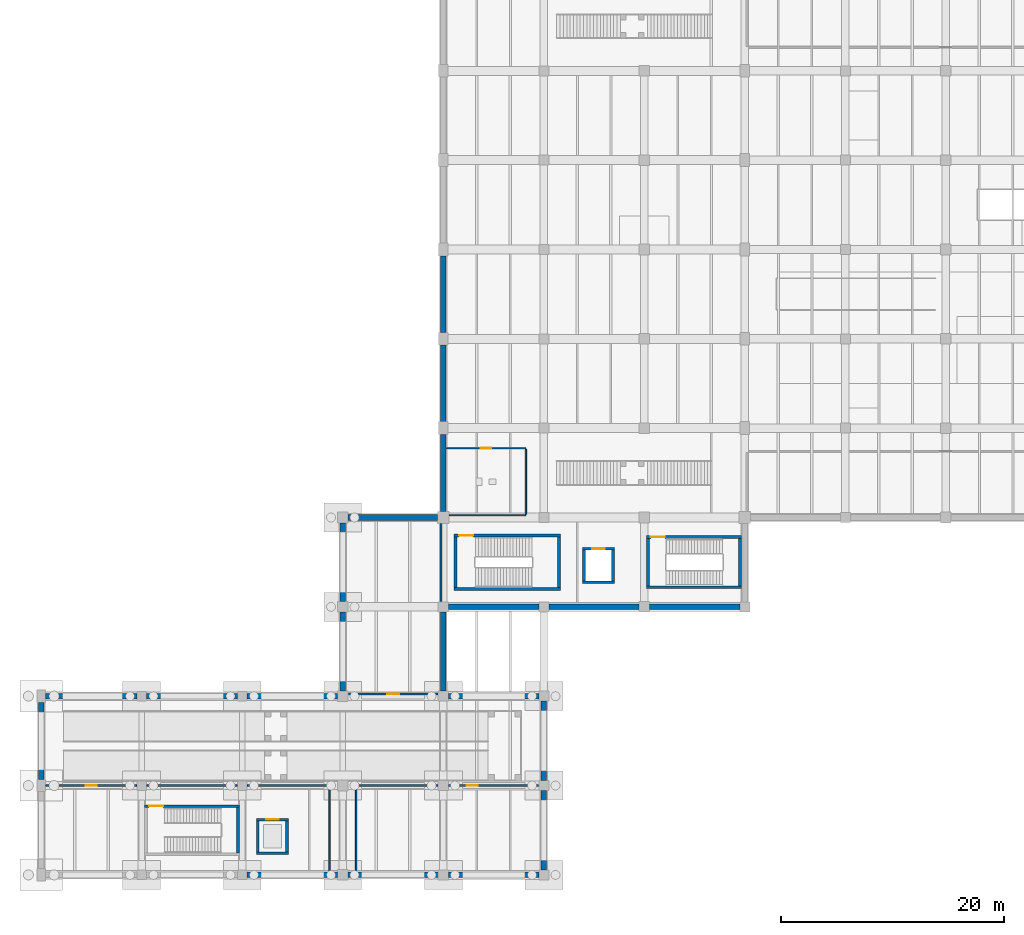
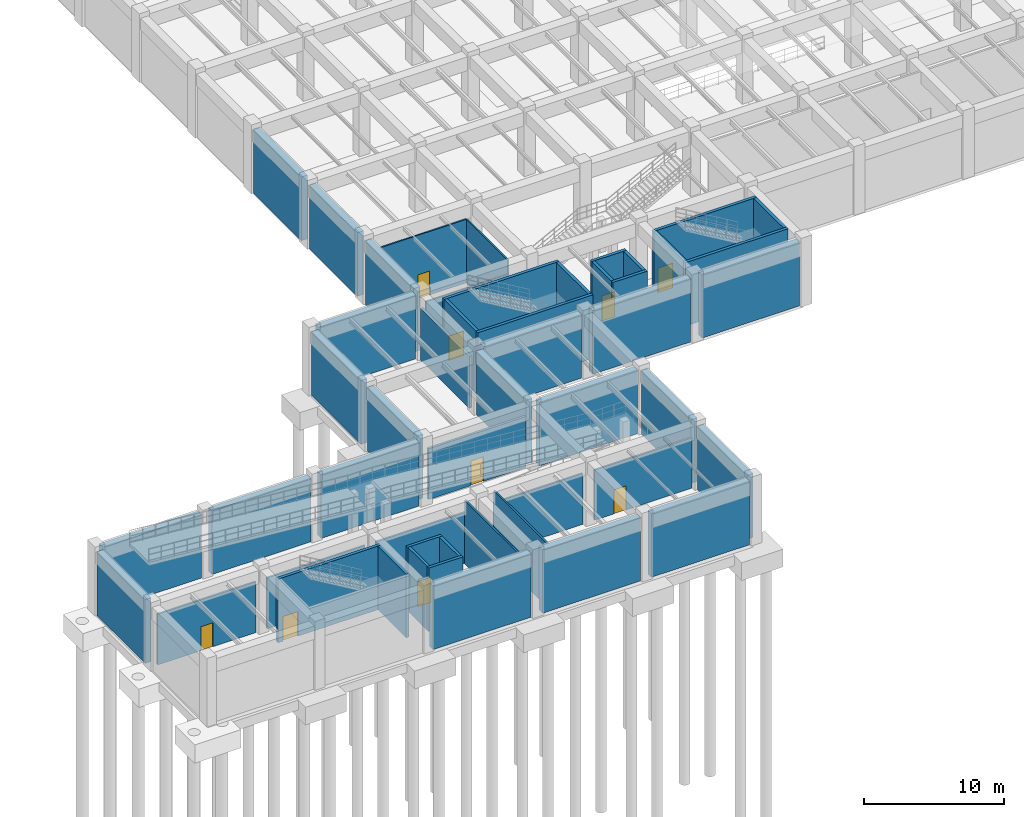
# One storey, part 7 of 20: 50 walls, 9 doors, 9 openings.
"""IFC4 building model written with IfcOpenShell, lengths in metres."""

from ifc_helpers import new_model, si_unit, derived_unit, direction, frame, frame_2d, origin, place, context, subcontext, project, spatial, rectangle, extrude, material, layer, layer_set, type_object, element, fill, save


model = new_model("IFC4")

# Units and contexts
model_context = context("Model", 3, precision=1e-05, world=origin(), true_north=direction((0.0, 1.0)))
body_context = subcontext(model_context, "Body", "Model", "MODEL_VIEW")
ifc_project = project(units=[si_unit("LENGTHUNIT", "METRE"), si_unit("AREAUNIT", "SQUARE_METRE"), si_unit("VOLUMEUNIT", "CUBIC_METRE"), si_unit("PLANEANGLEUNIT", "RADIAN"), si_unit("MASSUNIT", "GRAM", prefix="KILO"), derived_unit("THERMALTRANSMITTANCEUNIT", [(si_unit("MASSUNIT", "GRAM", prefix="KILO"), 1), (si_unit("TIMEUNIT", "SECOND"), -3), (si_unit("THERMODYNAMICTEMPERATUREUNIT", "KELVIN"), -1)])], contexts=[model_context])

# Site, building, storey
site_placement = place(None, origin())
site = spatial("IfcSite", under=ifc_project, at=site_placement, CompositionType="ELEMENT")
building_placement = place(site_placement, origin())
building = spatial("IfcBuilding", under=site, at=building_placement, Name="Zhenchuan Archway Interchange", CompositionType="ELEMENT")
storey_placement = place(building_placement, frame((0.0, 0.0, -6.0)))
storey = spatial("IfcBuildingStorey", under=building, at=storey_placement, Name="B1", CompositionType="ELEMENT", Elevation=-6.0)

# Walls
ifc_material_1 = material(Name="Concrete C40", Category="concrete")
ifc_layer_1 = layer(ifc_material_1, 0.5)
ifc_layer_set_1 = layer_set([ifc_layer_1], Name="Concrete C40")
wall_type_1 = type_object("IfcWallType", Name="EW_DIAPH_500", PredefinedType="STANDARD", material=ifc_layer_set_1)
wall_1_placement = place(storey_placement, frame((0.0, 8.548095703125, 0.0), z_axis=(0.0, 0.0, 1.0), x_axis=(0.0, 1.0, 0.0)))
element("IfcWall", 1, at=wall_1_placement, inside=storey, type_object=wall_type_1, Name="Basement diaphragm wall B1-002", PredefinedType="STANDARD", context=body_context, shape_type="SweptSolid", body=[
    extrude(rectangle(XDim=6.90380859375, YDim=0.5, at=frame_2d((3.451904296875, 0.0))), origin(), (0.0, 0.0, 1.0), 5.56005859375),
])
wall_2_placement = place(storey_placement, frame((0.39794921875, 16.0, 0.0), z_axis=(0.0, 0.0, 1.0), x_axis=(1.0, 0.0, 0.0)))
element("IfcWall", 2, at=wall_2_placement, inside=storey, type_object=wall_type_1, Name="Basement diaphragm wall B1-003", PredefinedType="STANDARD", context=body_context, shape_type="SweptSolid", body=[
    extrude(rectangle(XDim=8.178955078125, YDim=0.5, at=frame_2d((4.08935546875, 0.0))), origin(), (0.0, 0.0, 1.0), 5.56005859375),
])
wall_3_placement = place(storey_placement, frame((9.423095703125, 16.0, 0.0), z_axis=(0.0, 0.0, 1.0), x_axis=(1.0, 0.0, 0.0)))
element("IfcWall", 3, at=wall_3_placement, inside=storey, type_object=wall_type_1, Name="Basement diaphragm wall B1-004", PredefinedType="STANDARD", context=body_context, shape_type="SweptSolid", body=[
    extrude(rectangle(XDim=8.15380859375, YDim=0.5, at=frame_2d((4.076904296875, 0.0))), origin(), (0.0, 0.0, 1.0), 5.56005859375),
])
wall_4_placement = place(storey_placement, frame((18.423095703125, 16.0, 0.0), z_axis=(0.0, 0.0, 1.0), x_axis=(1.0, 0.0, 0.0)))
element("IfcWall", 4, at=wall_4_placement, inside=storey, type_object=wall_type_1, Name="Basement diaphragm wall B1-005", PredefinedType="STANDARD", context=body_context, shape_type="SweptSolid", body=[
    extrude(rectangle(XDim=8.10400390625, YDim=0.5, at=frame_2d((4.052001953125, 0.0))), origin(), (0.0, 0.0, 1.0), 5.56005859375),
])
for number, where, z_axis, x_axis, name in (
    (5, (27.0, 16.472900390625, 0.0), (0.0, 0.0, 1.0), (0.0, 1.0, 0.0), "Basement diaphragm wall B1-006"),
    (6, (27.0, 24.472900390625, 0.0), (0.0, 0.0, 1.0), (0.0, 1.0, 0.0), "Basement diaphragm wall B1-007"),
):
    element("IfcWall", number, at=place(storey_placement, frame(where, z_axis=z_axis, x_axis=x_axis)), inside=storey, type_object=wall_type_1, Name=name, PredefinedType="STANDARD", context=body_context, shape_type="SweptSolid", body=[
        extrude(rectangle(XDim=7.05419921875, YDim=0.5, at=frame_2d((3.527099609375, 0.0))), origin(), (0.0, 0.0, 1.0), 5.56005859375),
    ])
wall_5_placement = place(storey_placement, frame((27.472900390625, 32.0, 0.0), z_axis=(0.0, 0.0, 1.0), x_axis=(1.0, 0.0, 0.0)))
element("IfcWall", 7, at=wall_5_placement, inside=storey, type_object=wall_type_1, Name="Basement diaphragm wall B1-008", PredefinedType="STANDARD", context=body_context, shape_type="SweptSolid", body=[
    extrude(rectangle(XDim=8.004150390625, YDim=0.5, at=frame_2d((4.001953125, 0.0))), origin(), (0.0, 0.0, 1.0), 5.56005859375),
])
wall_6_placement = place(storey_placement, frame((36.0, 32.52294921875, 0.0), z_axis=(0.0, 0.0, 1.0), x_axis=(0.0, 1.0, 0.0)))
element("IfcWall", 8, at=wall_6_placement, inside=storey, type_object=wall_type_1, Name="Basement diaphragm wall B1-009", PredefinedType="STANDARD", context=body_context, shape_type="SweptSolid", body=[
    extrude(rectangle(XDim=6.904052734375, YDim=0.5, at=frame_2d((3.4521484375, 0.0))), origin(), (0.0, 0.0, 1.0), 5.56005859375),
])
for number, where, z_axis, x_axis, name in (
    (9, (36.0, 40.572998046875, 0.0), (0.0, 0.0, 1.0), (0.0, 1.0, 0.0), "Basement diaphragm wall B1-010"),
    (10, (36.0, 48.572998046875, 0.0), (0.0, 0.0, 1.0), (0.0, 1.0, 0.0), "Basement diaphragm wall B1-011"),
):
    element("IfcWall", number, at=place(storey_placement, frame(where, z_axis=z_axis, x_axis=x_axis)), inside=storey, type_object=wall_type_1, Name=name, PredefinedType="STANDARD", context=body_context, shape_type="SweptSolid", body=[
        extrude(rectangle(XDim=6.85400390625, YDim=0.5, at=frame_2d((3.427001953125, 0.0))), origin(), (0.0, 0.0, 1.0), 5.56005859375),
    ])
for number, where, z_axis, x_axis, name in (
    (11, (62.552001953125, 24.0, 0.0), (0.0, 0.0, 1.0), (-1.0, 0.0, 0.0), "Basement diaphragm wall B1-051"),
    (12, (53.527099609375, 24.0, 0.0), (0.0, 0.0, 1.0), (-1.0, 0.0, 0.0), "Basement diaphragm wall B1-052"),
):
    element("IfcWall", number, at=place(storey_placement, frame(where, z_axis=z_axis, x_axis=x_axis)), inside=storey, type_object=wall_type_1, Name=name, PredefinedType="STANDARD", context=body_context, shape_type="SweptSolid", body=[
        extrude(rectangle(XDim=8.0791015625, YDim=0.5, at=frame_2d((4.03955078125, 0.0))), origin(), (0.0, 0.0, 1.0), 5.56005859375),
    ])
wall_7_placement = place(storey_placement, frame((44.552001953125, 24.0, 0.0), z_axis=(0.0, 0.0, 1.0), x_axis=(-1.0, 0.0, 0.0)))
element("IfcWall", 13, at=wall_7_placement, inside=storey, type_object=wall_type_1, Name="Basement diaphragm wall B1-053", PredefinedType="STANDARD", context=body_context, shape_type="SweptSolid", body=[
    extrude(rectangle(XDim=8.10400390625, YDim=0.5, at=frame_2d((4.052001953125, 0.0))), origin(), (0.0, 0.0, 1.0), 5.56005859375),
])
wall_8_placement = place(storey_placement, frame((36.0, 23.552001953125, 0.0), z_axis=(0.0, 0.0, 1.0), x_axis=(0.0, -1.0, 0.0)))
element("IfcWall", 14, at=wall_8_placement, inside=storey, type_object=wall_type_1, Name="Basement diaphragm wall B1-054", PredefinedType="STANDARD", context=body_context, shape_type="SweptSolid", body=[
    extrude(rectangle(XDim=7.10400390625, YDim=0.5, at=frame_2d((3.552001953125, 0.0))), origin(), (0.0, 0.0, 1.0), 5.56005859375),
])
wall_9_placement = place(storey_placement, frame((36.447998046875, 16.0, 0.0), z_axis=(0.0, 0.0, 1.0), x_axis=(1.0, 0.0, 0.0)))
element("IfcWall", 15, at=wall_9_placement, inside=storey, type_object=wall_type_1, Name="Basement diaphragm wall B1-055", PredefinedType="STANDARD", context=body_context, shape_type="SweptSolid", body=[
    extrude(rectangle(XDim=8.10400390625, YDim=0.5, at=frame_2d((4.052001953125, 0.0))), origin(), (0.0, 0.0, 1.0), 5.56005859375),
])
for number, where, z_axis, x_axis, name in (
    (16, (45.0, 15.552001953125, 0.0), (0.0, 0.0, 1.0), (0.0, -1.0, 0.0), "Basement diaphragm wall B1-056"),
    (17, (45.0, 7.552001953125, 0.0), (0.0, 0.0, 1.0), (0.0, -1.0, 0.0), "Basement diaphragm wall B1-057"),
):
    element("IfcWall", number, at=place(storey_placement, frame(where, z_axis=z_axis, x_axis=x_axis)), inside=storey, type_object=wall_type_1, Name=name, PredefinedType="STANDARD", context=body_context, shape_type="SweptSolid", body=[
        extrude(rectangle(XDim=7.10400390625, YDim=0.5, at=frame_2d((3.552001953125, 0.0))), origin(), (0.0, 0.0, 1.0), 5.56005859375),
    ])
wall_10_placement = place(storey_placement, frame((44.552001953125, 0.0, 0.0), z_axis=(0.0, 0.0, 1.0), x_axis=(-1.0, 0.0, 0.0)))
element("IfcWall", 18, at=wall_10_placement, inside=storey, type_object=wall_type_1, Name="Basement diaphragm wall B1-058", PredefinedType="STANDARD", context=body_context, shape_type="SweptSolid", body=[
    extrude(rectangle(XDim=8.10400390625, YDim=0.5, at=frame_2d((4.052001953125, 0.0))), origin(), (0.0, 0.0, 1.0), 5.56005859375),
])
wall_11_placement = place(storey_placement, frame((35.552001953125, 0.0, 0.0), z_axis=(0.0, 0.0, 1.0), x_axis=(-1.0, 0.0, 0.0)))
element("IfcWall", 19, at=wall_11_placement, inside=storey, type_object=wall_type_1, Name="Basement diaphragm wall B1-059", PredefinedType="STANDARD", context=body_context, shape_type="SweptSolid", body=[
    extrude(rectangle(XDim=8.0791015625, YDim=0.5, at=frame_2d((4.03955078125, 0.0))), origin(), (0.0, 0.0, 1.0), 5.56005859375),
])
wall_12_placement = place(storey_placement, frame((26.527099609375, 0.0, 0.0), z_axis=(0.0, 0.0, 1.0), x_axis=(-1.0, 0.0, 0.0)))
element("IfcWall", 20, at=wall_12_placement, inside=storey, type_object=wall_type_1, Name="Basement diaphragm wall B1-060", PredefinedType="STANDARD", context=body_context, shape_type="SweptSolid", body=[
    extrude(rectangle(XDim=8.10400390625, YDim=0.5, at=frame_2d((4.052001953125, 0.0))), origin(), (0.0, 0.0, 1.0), 5.56005859375),
])

# Wall, opening, door
ifc_material_2 = material(Name="Autoclaved Aerated Concrete Block", Category="concrete")
ifc_layer_2 = layer(ifc_material_2, 0.199951171875)
ifc_layer_set_2 = layer_set([ifc_layer_2], Name="Autoclaved Aerated Concrete Block")
wall_type_2 = type_object("IfcWallType", Name="WL_FIRE_200", PredefinedType="STANDARD", material=ifc_layer_set_2)
wall_13_placement = place(storey_placement, frame((27.5, 16.199951171875, 0.0), z_axis=(0.0, 0.0, 1.0), x_axis=(1.0, 0.0, 0.0)))
wall_13 = element("IfcWall", 21, at=wall_13_placement, inside=storey, type_object=wall_type_2, Name="Commuter Cycle Locker and Helmet Store S partition (B1)", PredefinedType="STANDARD", context=body_context, shape_type="SweptSolid", body=[
    extrude(rectangle(XDim=8.02490234375, YDim=0.199951171875, at=frame_2d((4.012451171875, 0.0))), origin(), (0.0, 0.0, 1.0), 4.429931640625),
])
opening_1_placement = place(wall_13_placement, frame((3.487548828125, 0.0, 0.0)))
opening_1 = element("IfcOpeningElement", 22, at=opening_1_placement, cuts=wall_13, Name="Opening FD-03", PredefinedType="OPENING", context=body_context, shape_type="SweptSolid", body=[
    extrude(rectangle(XDim=1.050048828125, YDim=2.14990234375, at=frame_2d((0.52490234375, 1.074951171875))), frame((0.0, 0.11181640625, 0.0), z_axis=(0.0, -1.0, 0.0), x_axis=(1.0, 0.0, 0.0)), (0.0, 0.0, 1.0), 0.223876953125),
])
ifc_material_3 = material(Name="Painted Galvanised Steel", Category="steel")
door_type_1 = type_object("IfcDoorType", Name="DR_PLANT_FD60_S", OperationType="NOTDEFINED", PredefinedType="DOOR", material=ifc_material_3)
door_1_placement = place(opening_1_placement, origin())
door_1 = element("IfcDoor", 23, at=door_1_placement, inside=storey, type_object=door_type_1, Name="Commuter Cycle Locker and Helmet Store door (B1)", OperationType="SINGLE_SWING_LEFT", OverallHeight=2.14990234375, OverallWidth=1.050048828125, PredefinedType="DOOR", context=body_context, shape_type="SweptSolid", body=[
    extrude(rectangle(XDim=1.050048828125, YDim=2.14990234375, at=frame_2d((0.52490234375, 1.074951171875))), frame((0.0, 0.02490234375, 0.0), z_axis=(0.0, -1.0, 0.0), x_axis=(1.0, 0.0, 0.0)), (0.0, 0.0, 1.0), 0.050048828125),
])
fill(opening_1, door_1)

# Walls
wall_14_placement = place(storey_placement, frame((35.800048828125, 24.47509765625, 0.0), z_axis=(0.0, 0.0, 1.0), x_axis=(0.0, 1.0, 0.0)))
element("IfcWall", 24, at=wall_14_placement, inside=storey, type_object=wall_type_2, Name="Commuter Cycle Locker and Helmet Store E partition (B1)", PredefinedType="STANDARD", context=body_context, shape_type="SweptSolid", body=[
    extrude(rectangle(XDim=6.974853515625, YDim=0.199951171875, at=frame_2d((3.4873046875, 0.0))), origin(), (0.0, 0.0, 1.0), 4.530029296875),
])
ifc_layer_3 = layer(ifc_material_1, 0.239990234375)
ifc_layer_set_3 = layer_set([ifc_layer_3], Name="Concrete C40")
wall_type_3 = type_object("IfcWallType", Name="WL_LIFT_240", PredefinedType="SHEAR", material=ifc_layer_set_3)
wall_15_placement = place(storey_placement, frame((48.47998046875, 26.199951171875, 0.0), z_axis=(0.0, 0.0, 1.0), x_axis=(1.0, 0.0, 0.0)))
element("IfcWall", 25, at=wall_15_placement, inside=storey, type_object=wall_type_3, Name="Lift LF-01 south shaft wall (B1)", PredefinedType="SHEAR", context=body_context, shape_type="SweptSolid", body=[
    extrude(rectangle(XDim=2.840087890625, YDim=0.239990234375, at=frame_2d((1.419921875, 0.0))), origin(), (0.0, 0.0, 1.0), 5.550048828125),
])

# Wall, opening, door
wall_16_placement = place(storey_placement, frame((51.320068359375, 29.199951171875, 0.0), z_axis=(0.0, 0.0, 1.0), x_axis=(-1.0, 0.0, 0.0)))
wall_16 = element("IfcWall", 26, at=wall_16_placement, inside=storey, type_object=wall_type_3, Name="Lift LF-01 north shaft wall (B1)", PredefinedType="SHEAR", context=body_context, shape_type="SweptSolid", body=[
    extrude(rectangle(XDim=2.840087890625, YDim=0.239990234375, at=frame_2d((1.419921875, 0.0))), origin(), (0.0, 0.0, 1.0), 5.550048828125),
])
opening_2_placement = place(wall_16_placement, frame((0.8701171875, 0.0, 0.0)))
opening_2 = element("IfcOpeningElement", 27, at=opening_2_placement, cuts=wall_16, Name="Opening LD-01", PredefinedType="OPENING", context=body_context, shape_type="SweptSolid", body=[
    extrude(rectangle(XDim=1.10009765625, YDim=2.199951171875, at=frame_2d((0.550048828125, 1.10009765625))), frame((0.0, 0.1318359375, 0.0), z_axis=(0.0, -1.0, 0.0), x_axis=(1.0, 0.0, 0.0)), (0.0, 0.0, 1.0), 0.263916015625),
])
ifc_material_4 = material(Name="Stainless Steel 304", Category="steel")
door_type_2 = type_object("IfcDoorType", Name="DR_LIFT_LD110", OperationType="DOUBLE_DOOR_SLIDING", PredefinedType="DOOR", material=ifc_material_4)
door_2_placement = place(opening_2_placement, origin())
door_2 = element("IfcDoor", 28, at=door_2_placement, inside=storey, type_object=door_type_2, Name="Lift LF-01 landing door (B1)", OperationType="DOUBLE_DOOR_SLIDING", OverallHeight=2.199951171875, OverallWidth=1.10009765625, PredefinedType="DOOR", context=body_context, shape_type="SweptSolid", body=[
    extrude(rectangle(XDim=1.10009765625, YDim=2.199951171875, at=frame_2d((0.550048828125, 1.10009765625))), frame((0.0, 0.02490234375, 0.0), z_axis=(0.0, -1.0, 0.0), x_axis=(1.0, 0.0, 0.0)), (0.0, 0.0, 1.0), 0.050048828125),
])
fill(opening_2, door_2)

# Walls
for number, where, z_axis, x_axis, name in (
    (29, (48.60009765625, 29.080078125, 0.0), (0.0, 0.0, 1.0), (0.0, -1.0, 0.0), "Lift LF-01 west shaft wall (B1)"),
    (30, (51.199951171875, 26.320068359375, 0.0), (0.0, 0.0, 1.0), (0.0, 1.0, 0.0), "Lift LF-01 east shaft wall (B1)"),
):
    element("IfcWall", number, at=place(storey_placement, frame(where, z_axis=z_axis, x_axis=x_axis)), inside=storey, type_object=wall_type_3, Name=name, PredefinedType="SHEAR", context=body_context, shape_type="SweptSolid", body=[
        extrude(rectangle(XDim=2.760009765625, YDim=0.239990234375, at=frame_2d((1.3798828125, 0.0))), origin(), (0.0, 0.0, 1.0), 5.550048828125),
    ])
wall_17_placement = place(storey_placement, frame((19.280029296875, 1.949951171875, 0.0), z_axis=(0.0, 0.0, 1.0), x_axis=(1.0, 0.0, 0.0)))
element("IfcWall", 31, at=wall_17_placement, inside=storey, type_object=wall_type_3, Name="Lift LF-03 south shaft wall (B1)", PredefinedType="SHEAR", context=body_context, shape_type="SweptSolid", body=[
    extrude(rectangle(XDim=2.840087890625, YDim=0.239990234375, at=frame_2d((1.419921875, 0.0))), origin(), (0.0, 0.0, 1.0), 5.550048828125),
])

# Wall, opening, door
wall_18_placement = place(storey_placement, frame((22.1201171875, 4.949951171875, 0.0), z_axis=(0.0, 0.0, 1.0), x_axis=(-1.0, 0.0, 0.0)))
wall_18 = element("IfcWall", 32, at=wall_18_placement, inside=storey, type_object=wall_type_3, Name="Lift LF-03 north shaft wall (B1)", PredefinedType="SHEAR", context=body_context, shape_type="SweptSolid", body=[
    extrude(rectangle(XDim=2.840087890625, YDim=0.239990234375, at=frame_2d((1.419921875, 0.0))), origin(), (0.0, 0.0, 1.0), 5.550048828125),
])
opening_3_placement = place(wall_18_placement, frame((0.8701171875, 0.0, 0.0)))
opening_3 = element("IfcOpeningElement", 33, at=opening_3_placement, cuts=wall_18, Name="Opening LD-01", PredefinedType="OPENING", context=body_context, shape_type="SweptSolid", body=[
    extrude(rectangle(XDim=1.10009765625, YDim=2.199951171875, at=frame_2d((0.550048828125, 1.10009765625))), frame((0.0, 0.1318359375, 0.0), z_axis=(0.0, -1.0, 0.0), x_axis=(1.0, 0.0, 0.0)), (0.0, 0.0, 1.0), 0.263916015625),
])
door_3_placement = place(opening_3_placement, origin())
door_3 = element("IfcDoor", 34, at=door_3_placement, inside=storey, type_object=door_type_2, Name="Lift LF-03 landing door (B1)", OperationType="DOUBLE_DOOR_SLIDING", OverallHeight=2.199951171875, OverallWidth=1.10009765625, PredefinedType="DOOR", context=body_context, shape_type="SweptSolid", body=[
    extrude(rectangle(XDim=1.10009765625, YDim=2.199951171875, at=frame_2d((0.550048828125, 1.10009765625))), frame((0.0, 0.02490234375, 0.0), z_axis=(0.0, -1.0, 0.0), x_axis=(1.0, 0.0, 0.0)), (0.0, 0.0, 1.0), 0.050048828125),
])
fill(opening_3, door_3)

# Walls
for number, where, z_axis, x_axis, name in (
    (35, (19.39990234375, 4.830078125, 0.0), (0.0, 0.0, 1.0), (0.0, -1.0, 0.0), "Lift LF-03 west shaft wall (B1)"),
    (36, (22.0, 2.070068359375, 0.0), (0.0, 0.0, 1.0), (0.0, 1.0, 0.0), "Lift LF-03 east shaft wall (B1)"),
):
    element("IfcWall", number, at=place(storey_placement, frame(where, z_axis=z_axis, x_axis=x_axis)), inside=storey, type_object=wall_type_3, Name=name, PredefinedType="SHEAR", context=body_context, shape_type="SweptSolid", body=[
        extrude(rectangle(XDim=2.760009765625, YDim=0.239990234375, at=frame_2d((1.3798828125, 0.0))), origin(), (0.0, 0.0, 1.0), 5.550048828125),
    ])

# Wall, opening, door
ifc_material_5 = material(Name="Gypsum Plasterboard", Category="gypsum")
ifc_layer_4 = layer(ifc_material_5, 0.14990234375)
ifc_layer_set_4 = layer_set([ifc_layer_4], Name="Gypsum Plasterboard")
wall_type_4 = type_object("IfcWallType", Name="WL_PART_150", PredefinedType="STANDARD", material=ifc_layer_set_4)
wall_19_placement = place(storey_placement, frame((0.425048828125, 8.0, 0.0), z_axis=(0.0, 0.0, 1.0), x_axis=(1.0, 0.0, 0.0)))
wall_19 = element("IfcWall", 37, at=wall_19_placement, inside=storey, type_object=wall_type_4, Name="Underground Cycle Parking Hall N partition (B1)", PredefinedType="STANDARD", context=body_context, shape_type="SweptSolid", body=[
    extrude(rectangle(XDim=8.125, YDim=0.14990234375, at=frame_2d((4.0625, 0.0))), origin(), (0.0, 0.0, 1.0), 4.429931640625),
])
opening_4_placement = place(wall_19_placement, frame((3.5625, 0.0, 0.0)))
opening_4 = element("IfcOpeningElement", 38, at=opening_4_placement, cuts=wall_19, Name="Opening ID-02", PredefinedType="OPENING", context=body_context, shape_type="SweptSolid", body=[
    extrude(rectangle(XDim=1.0, YDim=2.10009765625, at=frame_2d((0.5, 1.050048828125))), frame((0.0, 0.0869140625, 0.0), z_axis=(0.0, -1.0, 0.0), x_axis=(1.0, 0.0, 0.0)), (0.0, 0.0, 1.0), 0.173828125),
])
ifc_material_6 = material(Name="Hardwood Timber", Category="wood")
door_type_3 = type_object("IfcDoorType", Name="DR_OPS_100", OperationType="NOTDEFINED", PredefinedType="DOOR", material=ifc_material_6)
door_4_placement = place(opening_4_placement, origin())
door_4 = element("IfcDoor", 39, at=door_4_placement, inside=storey, type_object=door_type_3, Name="Underground Cycle Parking Hall door (B1)", OperationType="SINGLE_SWING_LEFT", OverallHeight=2.10009765625, OverallWidth=1.0, PredefinedType="DOOR", context=body_context, shape_type="SweptSolid", body=[
    extrude(rectangle(XDim=1.0, YDim=2.10009765625, at=frame_2d((0.5, 1.050048828125))), frame((0.0, 0.02490234375, 0.0), z_axis=(0.0, -1.0, 0.0), x_axis=(1.0, 0.0, 0.0)), (0.0, 0.0, 1.0), 0.050048828125),
])
fill(opening_4, door_4)

# Walls
wall_20_placement = place(storey_placement, frame((9.449951171875, 8.0, 0.0), z_axis=(0.0, 0.0, 1.0), x_axis=(1.0, 0.0, 0.0)))
element("IfcWall", 40, at=wall_20_placement, inside=storey, type_object=wall_type_4, Name="Underground Cycle Parking Hall N partition (B1)", PredefinedType="STANDARD", context=body_context, shape_type="SweptSolid", body=[
    extrude(rectangle(XDim=8.10009765625, YDim=0.14990234375, at=frame_2d((4.050048828125, 0.0))), origin(), (0.0, 0.0, 1.0), 4.429931640625),
])
wall_21_placement = place(storey_placement, frame((18.449951171875, 8.0, 0.0), z_axis=(0.0, 0.0, 1.0), x_axis=(1.0, 0.0, 0.0)))
element("IfcWall", 41, at=wall_21_placement, inside=storey, type_object=wall_type_4, Name="Underground Cycle Parking Hall N partition (B1)", PredefinedType="STANDARD", context=body_context, shape_type="SweptSolid", body=[
    extrude(rectangle(XDim=7.35009765625, YDim=0.14990234375, at=frame_2d((3.675048828125, 0.0))), origin(), (0.0, 0.0, 1.0), 4.429931640625),
])
wall_22_placement = place(storey_placement, frame((25.800048828125, 0.260009765625, 0.0), z_axis=(0.0, 0.0, 1.0), x_axis=(0.0, 1.0, 0.0)))
element("IfcWall", 42, at=wall_22_placement, inside=storey, type_object=wall_type_4, Name="Underground Cycle Parking Hall E partition (B1)", PredefinedType="STANDARD", context=body_context, shape_type="SweptSolid", body=[
    extrude(rectangle(XDim=7.655029296875, YDim=0.14990234375, at=frame_2d((3.82763671875, 0.0))), origin(), (0.0, 0.0, 1.0), 5.550048828125),
])
wall_23_placement = place(storey_placement, frame((28.199951171875, 8.0, 0.0), z_axis=(0.0, 0.0, 1.0), x_axis=(1.0, 0.0, 0.0)))
element("IfcWall", 43, at=wall_23_placement, inside=storey, type_object=wall_type_4, Name="E-Bike Battery Charging Bay N partition (B1)", PredefinedType="STANDARD", context=body_context, shape_type="SweptSolid", body=[
    extrude(rectangle(XDim=7.324951171875, YDim=0.14990234375, at=frame_2d((3.66259765625, 0.0))), origin(), (0.0, 0.0, 1.0), 4.429931640625),
])

# Wall, opening, door
wall_24_placement = place(storey_placement, frame((36.47509765625, 8.0, 0.0), z_axis=(0.0, 0.0, 1.0), x_axis=(1.0, 0.0, 0.0)))
wall_24 = element("IfcWall", 44, at=wall_24_placement, inside=storey, type_object=wall_type_4, Name="E-Bike Battery Charging Bay N partition (B1)", PredefinedType="STANDARD", context=body_context, shape_type="SweptSolid", body=[
    extrude(rectangle(XDim=8.0498046875, YDim=0.14990234375, at=frame_2d((4.02490234375, 0.0))), origin(), (0.0, 0.0, 1.0), 4.3798828125),
])
opening_5_placement = place(wall_24_placement, frame((1.6201171875, 0.0, 0.0)))
opening_5 = element("IfcOpeningElement", 45, at=opening_5_placement, cuts=wall_24, Name="Opening ID-02", PredefinedType="OPENING", context=body_context, shape_type="SweptSolid", body=[
    extrude(rectangle(XDim=1.0, YDim=2.10009765625, at=frame_2d((0.5, 1.050048828125))), frame((0.0, 0.0869140625, 0.0), z_axis=(0.0, -1.0, 0.0), x_axis=(1.0, 0.0, 0.0)), (0.0, 0.0, 1.0), 0.173828125),
])
door_5_placement = place(opening_5_placement, origin())
door_5 = element("IfcDoor", 46, at=door_5_placement, inside=storey, type_object=door_type_3, Name="E-Bike Battery Charging Bay door (B1)", OperationType="SINGLE_SWING_RIGHT", OverallHeight=2.10009765625, OverallWidth=1.0, PredefinedType="DOOR", context=body_context, shape_type="SweptSolid", body=[
    extrude(rectangle(XDim=1.0, YDim=2.10009765625, at=frame_2d((0.5, 1.050048828125))), frame((0.0, 0.02490234375, 0.0), z_axis=(0.0, -1.0, 0.0), x_axis=(1.0, 0.0, 0.0)), (0.0, 0.0, 1.0), 0.050048828125),
])
fill(opening_5, door_5)

# Walls
wall_25_placement = place(storey_placement, frame((28.199951171875, 0.260009765625, 0.0), z_axis=(0.0, 0.0, 1.0), x_axis=(0.0, 1.0, 0.0)))
element("IfcWall", 47, at=wall_25_placement, inside=storey, type_object=wall_type_4, Name="E-Bike Battery Charging Bay W partition (B1)", PredefinedType="STANDARD", context=body_context, shape_type="SweptSolid", body=[
    extrude(rectangle(XDim=7.655029296875, YDim=0.14990234375, at=frame_2d((3.82763671875, 0.0))), origin(), (0.0, 0.0, 1.0), 5.550048828125),
])
ifc_layer_5 = layer(ifc_material_1, 0.25)
ifc_layer_set_5 = layer_set([ifc_layer_5], Name="Concrete C40")
wall_type_5 = type_object("IfcWallType", Name="WL_STAIR_250", PredefinedType="SHEAR", material=ifc_layer_set_5)
wall_26_placement = place(storey_placement, frame((36.97509765625, 25.60009765625, 0.0), z_axis=(0.0, 0.0, 1.0), x_axis=(1.0, 0.0, 0.0)))
element("IfcWall", 48, at=wall_26_placement, inside=storey, type_object=wall_type_5, Name="Stair ST-M1 south wall (B1)", PredefinedType="SHEAR", context=body_context, shape_type="SweptSolid", body=[
    extrude(rectangle(XDim=9.5, YDim=0.25, at=frame_2d((4.75, 0.0))), origin(), (0.0, 0.0, 1.0), 5.550048828125),
])

# Wall, opening, door
wall_27_placement = place(storey_placement, frame((46.47509765625, 30.39990234375, 0.0), z_axis=(0.0, 0.0, 1.0), x_axis=(-1.0, 0.0, 0.0)))
wall_27 = element("IfcWall", 49, at=wall_27_placement, inside=storey, type_object=wall_type_5, Name="Stair ST-M1 north wall (B1)", PredefinedType="SHEAR", context=body_context, shape_type="SweptSolid", body=[
    extrude(rectangle(XDim=9.5, YDim=0.25, at=frame_2d((4.75, 0.0))), origin(), (0.0, 0.0, 1.0), 5.550048828125),
])
opening_6_placement = place(wall_27_placement, frame((7.804931640625, 0.0, 0.0)))
opening_6 = element("IfcOpeningElement", 50, at=opening_6_placement, cuts=wall_27, Name="Opening FD-01", PredefinedType="OPENING", context=body_context, shape_type="SweptSolid", body=[
    extrude(rectangle(XDim=1.25, YDim=2.14990234375, at=frame_2d((0.625, 1.074951171875))), frame((0.0, 0.136962890625, 0.0), z_axis=(0.0, -1.0, 0.0), x_axis=(1.0, 0.0, 0.0)), (0.0, 0.0, 1.0), 0.27392578125),
])
door_type_4 = type_object("IfcDoorType", Name="DR_STAIR_FD90", OperationType="NOTDEFINED", PredefinedType="DOOR", material=ifc_material_3)
door_6_placement = place(opening_6_placement, origin())
door_6 = element("IfcDoor", 51, at=door_6_placement, inside=storey, type_object=door_type_4, Name="Stair ST-M1 fire door (B1)", OperationType="SINGLE_SWING_RIGHT", OverallHeight=2.14990234375, OverallWidth=1.25, PredefinedType="DOOR", context=body_context, shape_type="SweptSolid", body=[
    extrude(rectangle(XDim=1.25, YDim=2.14990234375, at=frame_2d((0.625, 1.074951171875))), frame((0.0, 0.02490234375, 0.0), z_axis=(0.0, -1.0, 0.0), x_axis=(1.0, 0.0, 0.0)), (0.0, 0.0, 1.0), 0.050048828125),
])
fill(opening_6, door_6)

# Walls
for number, where, z_axis, x_axis, name in (
    (52, (37.10009765625, 30.27490234375, 0.0), (0.0, 0.0, 1.0), (0.0, -1.0, 0.0), "Stair ST-M1 west wall (B1)"),
    (53, (46.35009765625, 25.72509765625, 0.0), (0.0, 0.0, 1.0), (0.0, 1.0, 0.0), "Stair ST-M1 east wall (B1)"),
):
    element("IfcWall", number, at=place(storey_placement, frame(where, z_axis=z_axis, x_axis=x_axis)), inside=storey, type_object=wall_type_5, Name=name, PredefinedType="SHEAR", context=body_context, shape_type="SweptSolid", body=[
        extrude(rectangle(XDim=4.5498046875, YDim=0.25, at=frame_2d((2.27490234375, 0.0))), origin(), (0.0, 0.0, 1.0), 5.550048828125),
    ])
wall_28_placement = place(storey_placement, frame((54.195068359375, 25.75, 0.0), z_axis=(0.0, 0.0, 1.0), x_axis=(1.0, 0.0, 0.0)))
element("IfcWall", 54, at=wall_28_placement, inside=storey, type_object=wall_type_5, Name="Stair ST-M3 south wall (B1)", PredefinedType="SHEAR", context=body_context, shape_type="SweptSolid", body=[
    extrude(rectangle(XDim=8.489990234375, YDim=0.25, at=frame_2d((4.2451171875, 0.0))), origin(), (0.0, 0.0, 1.0), 5.550048828125),
])

# Wall, opening, door
wall_29_placement = place(storey_placement, frame((62.68505859375, 30.25, 0.0), z_axis=(0.0, 0.0, 1.0), x_axis=(-1.0, 0.0, 0.0)))
wall_29 = element("IfcWall", 55, at=wall_29_placement, inside=storey, type_object=wall_type_5, Name="Stair ST-M3 north wall (B1)", PredefinedType="SHEAR", context=body_context, shape_type="SweptSolid", body=[
    extrude(rectangle(XDim=8.489990234375, YDim=0.25, at=frame_2d((4.2451171875, 0.0))), origin(), (0.0, 0.0, 1.0), 5.550048828125),
])
opening_7_placement = place(wall_29_placement, frame((6.8349609375, 0.0, 0.0)))
opening_7 = element("IfcOpeningElement", 56, at=opening_7_placement, cuts=wall_29, Name="Opening FD-01", PredefinedType="OPENING", context=body_context, shape_type="SweptSolid", body=[
    extrude(rectangle(XDim=1.25, YDim=2.14990234375, at=frame_2d((0.625, 1.074951171875))), frame((0.0, 0.136962890625, 0.0), z_axis=(0.0, -1.0, 0.0), x_axis=(1.0, 0.0, 0.0)), (0.0, 0.0, 1.0), 0.27392578125),
])
door_7_placement = place(opening_7_placement, origin())
door_7 = element("IfcDoor", 57, at=door_7_placement, inside=storey, type_object=door_type_4, Name="Stair ST-M3 fire door (B1)", OperationType="SINGLE_SWING_RIGHT", OverallHeight=2.14990234375, OverallWidth=1.25, PredefinedType="DOOR", context=body_context, shape_type="SweptSolid", body=[
    extrude(rectangle(XDim=1.25, YDim=2.14990234375, at=frame_2d((0.625, 1.074951171875))), frame((0.0, 0.02490234375, 0.0), z_axis=(0.0, -1.0, 0.0), x_axis=(1.0, 0.0, 0.0)), (0.0, 0.0, 1.0), 0.050048828125),
])
fill(opening_7, door_7)

# Walls
for number, where, z_axis, x_axis, name in (
    (58, (54.320068359375, 30.125, 0.0), (0.0, 0.0, 1.0), (0.0, -1.0, 0.0), "Stair ST-M3 west wall (B1)"),
    (59, (62.56005859375, 25.875, 0.0), (0.0, 0.0, 1.0), (0.0, 1.0, 0.0), "Stair ST-M3 east wall (B1)"),
):
    element("IfcWall", number, at=place(storey_placement, frame(where, z_axis=z_axis, x_axis=x_axis)), inside=storey, type_object=wall_type_5, Name=name, PredefinedType="SHEAR", context=body_context, shape_type="SweptSolid", body=[
        extrude(rectangle(XDim=4.25, YDim=0.25, at=frame_2d((2.125, 0.0))), origin(), (0.0, 0.0, 1.0), 5.550048828125),
    ])

# Wall, opening, door
wall_30_placement = place(storey_placement, frame((17.7451171875, 6.14990234375, 0.0), z_axis=(0.0, 0.0, 1.0), x_axis=(-1.0, 0.0, 0.0)))
wall_30 = element("IfcWall", 60, at=wall_30_placement, inside=storey, type_object=wall_type_5, Name="Stair ST-C1 north wall (B1)", PredefinedType="SHEAR", context=body_context, shape_type="SweptSolid", body=[
    extrude(rectangle(XDim=8.490234375, YDim=0.25, at=frame_2d((4.2451171875, 0.0))), origin(), (0.0, 0.0, 1.0), 5.550048828125),
])
opening_8_placement = place(wall_30_placement, frame((6.8349609375, 0.0, 0.0)))
opening_8 = element("IfcOpeningElement", 61, at=opening_8_placement, cuts=wall_30, Name="Opening FD-01", PredefinedType="OPENING", context=body_context, shape_type="SweptSolid", body=[
    extrude(rectangle(XDim=1.25, YDim=2.14990234375, at=frame_2d((0.625, 1.074951171875))), frame((0.0, 0.136962890625, 0.0), z_axis=(0.0, -1.0, 0.0), x_axis=(1.0, 0.0, 0.0)), (0.0, 0.0, 1.0), 0.27392578125),
])
door_8_placement = place(opening_8_placement, origin())
door_8 = element("IfcDoor", 62, at=door_8_placement, inside=storey, type_object=door_type_4, Name="Stair ST-C1 fire door (B1)", OperationType="SINGLE_SWING_RIGHT", OverallHeight=2.14990234375, OverallWidth=1.25, PredefinedType="DOOR", context=body_context, shape_type="SweptSolid", body=[
    extrude(rectangle(XDim=1.25, YDim=2.14990234375, at=frame_2d((0.625, 1.074951171875))), frame((0.0, 0.02490234375, 0.0), z_axis=(0.0, -1.0, 0.0), x_axis=(1.0, 0.0, 0.0)), (0.0, 0.0, 1.0), 0.050048828125),
])
fill(opening_8, door_8)

# Walls
wall_31_placement = place(storey_placement, frame((17.6201171875, 1.97509765625, 0.0), z_axis=(0.0, 0.0, 1.0), x_axis=(0.0, 1.0, 0.0)))
element("IfcWall", 63, at=wall_31_placement, inside=storey, type_object=wall_type_5, Name="Stair ST-C1 east wall (B1)", PredefinedType="SHEAR", context=body_context, shape_type="SweptSolid", body=[
    extrude(rectangle(XDim=4.0498046875, YDim=0.25, at=frame_2d((2.02490234375, 0.0))), origin(), (0.0, 0.0, 1.0), 5.550048828125),
])
ifc_layer_6 = layer(ifc_material_5, 0.1201171875)
ifc_layer_set_6 = layer_set([ifc_layer_6], Name="Gypsum Plasterboard")
wall_type_6 = type_object("IfcWallType", Name="WL_WC_120", PredefinedType="STANDARD", material=ifc_layer_set_6)
wall_32_placement = place(storey_placement, frame((36.550048828125, 32.199951171875, 0.0), z_axis=(0.0, 0.0, 1.0), x_axis=(1.0, 0.0, 0.0)))
element("IfcWall", 64, at=wall_32_placement, inside=storey, type_object=wall_type_6, Name="Concourse Public Washroom B1 S partition (B1)", PredefinedType="STANDARD", context=body_context, shape_type="SweptSolid", body=[
    extrude(rectangle(XDim=6.849853515625, YDim=0.1201171875, at=frame_2d((3.4248046875, 0.0))), origin(), (0.0, 0.0, 1.0), 4.3798828125),
])

# Wall, opening, door
wall_33_placement = place(storey_placement, frame((36.260009765625, 38.199951171875, 0.0), z_axis=(0.0, 0.0, 1.0), x_axis=(1.0, 0.0, 0.0)))
wall_33 = element("IfcWall", 65, at=wall_33_placement, inside=storey, type_object=wall_type_6, Name="Concourse Public Washroom B1 N partition (B1)", PredefinedType="STANDARD", context=body_context, shape_type="SweptSolid", body=[
    extrude(rectangle(XDim=7.139892578125, YDim=0.1201171875, at=frame_2d((3.56982421875, 0.0))), origin(), (0.0, 0.0, 1.0), 5.550048828125),
])
opening_9_placement = place(wall_33_placement, frame((3.094970703125, 0.0, 0.0)))
opening_9 = element("IfcOpeningElement", 66, at=opening_9_placement, cuts=wall_33, Name="Opening ID-03", PredefinedType="OPENING", context=body_context, shape_type="SweptSolid", body=[
    extrude(rectangle(XDim=0.949951171875, YDim=2.10009765625, at=frame_2d((0.47509765625, 1.050048828125))), frame((0.0, 0.072021484375, 0.0), z_axis=(0.0, -1.0, 0.0), x_axis=(1.0, 0.0, 0.0)), (0.0, 0.0, 1.0), 0.14404296875),
])
door_type_5 = type_object("IfcDoorType", Name="DR_WC_95", OperationType="NOTDEFINED", PredefinedType="DOOR", material=ifc_material_6)
door_9_placement = place(opening_9_placement, origin())
door_9 = element("IfcDoor", 67, at=door_9_placement, inside=storey, type_object=door_type_5, Name="Concourse Public Washroom B1 door (B1)", OperationType="SINGLE_SWING_RIGHT", OverallHeight=2.10009765625, OverallWidth=0.949951171875, PredefinedType="DOOR", context=body_context, shape_type="SweptSolid", body=[
    extrude(rectangle(XDim=0.949951171875, YDim=2.10009765625, at=frame_2d((0.47509765625, 1.050048828125))), frame((0.0, 0.02490234375, 0.0), z_axis=(0.0, -1.0, 0.0), x_axis=(1.0, 0.0, 0.0)), (0.0, 0.0, 1.0), 0.050048828125),
])
fill(opening_9, door_9)

# Wall
wall_34_placement = place(storey_placement, frame((43.39990234375, 32.27001953125, 0.0), z_axis=(0.0, 0.0, 1.0), x_axis=(0.0, 1.0, 0.0)))
element("IfcWall", 68, at=wall_34_placement, inside=storey, type_object=wall_type_6, Name="Concourse Public Washroom B1 E partition (B1)", PredefinedType="STANDARD", context=body_context, shape_type="SweptSolid", body=[
    extrude(rectangle(XDim=5.85986328125, YDim=0.1201171875, at=frame_2d((2.929931640625, 0.0))), origin(), (0.0, 0.0, 1.0), 5.550048828125),
])

save(model, "model.ifc")
